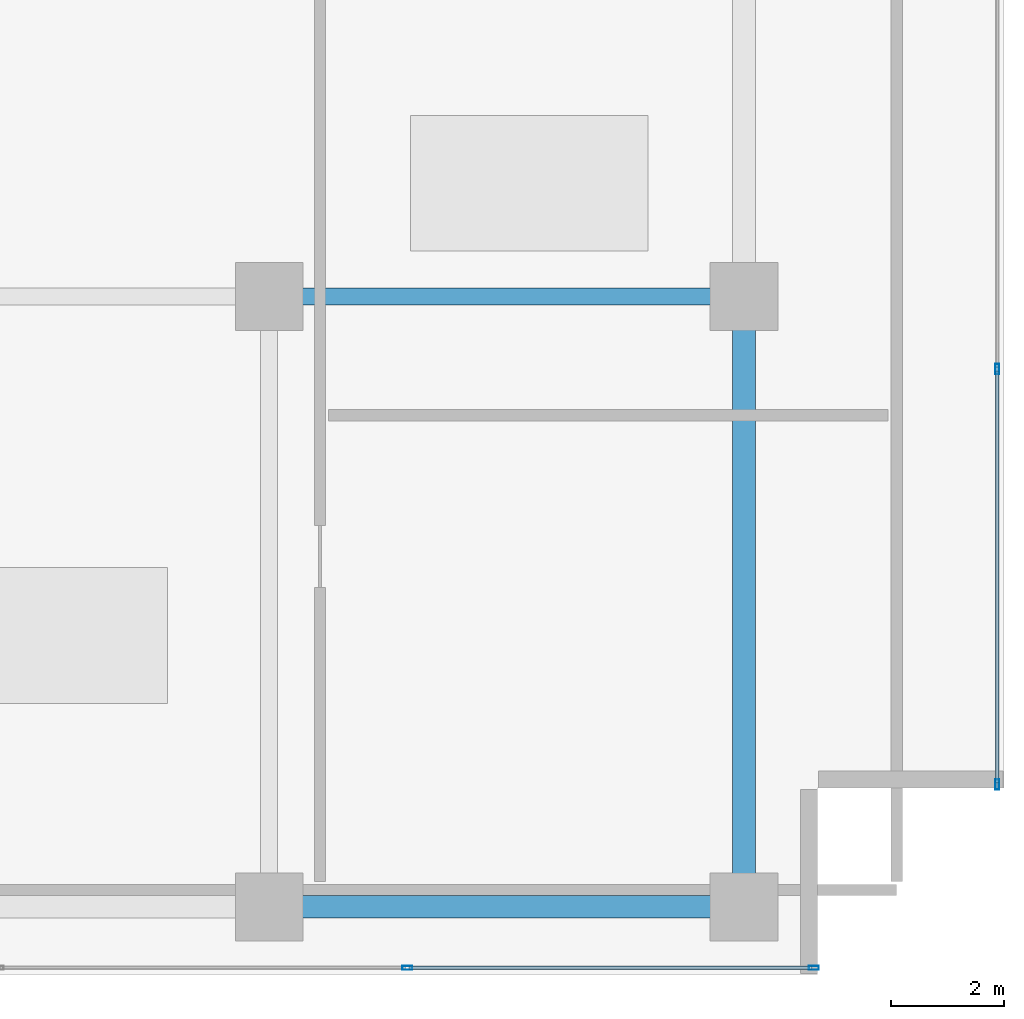
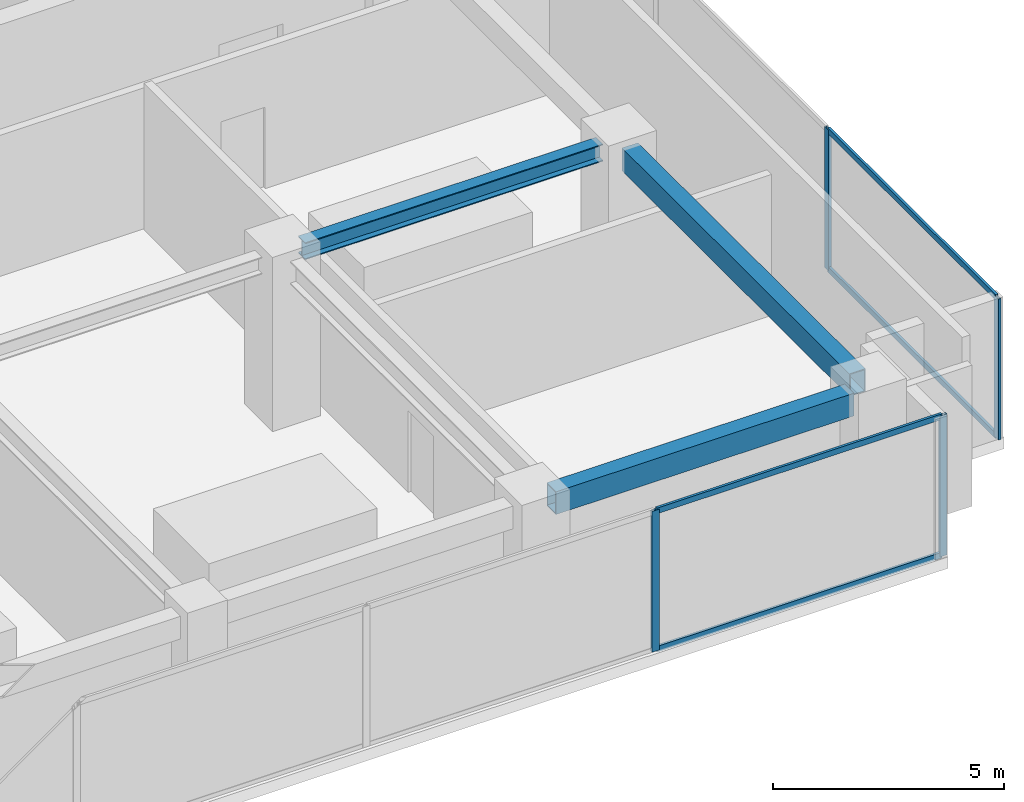
# One storey, part 9 of 19: 8 members, 3 beams, 2 elements without a shape of their own.
"""IFC4 building model written with IfcOpenShell, lengths in metres."""

from ifc_helpers import new_model, si_unit, direction, frame, origin, origin_2d, place, context, subcontext, project, spatial, hollow_rectangle, i_section, extrude, source, transform, mapped, material, layer, layer_set, material_profile, profile_set, type_object, element, aggregate, save


model = new_model("IFC4")

# Units and contexts
model_context = context("Model", 3, precision=1e-05, world=origin(), true_north=direction((0.0, 1.0)))
body_context = subcontext(model_context, "Body", "Model", "MODEL_VIEW")
ifc_project = project(units=[si_unit("LENGTHUNIT", "METRE"), si_unit("AREAUNIT", "SQUARE_METRE"), si_unit("VOLUMEUNIT", "CUBIC_METRE"), si_unit("PLANEANGLEUNIT", "RADIAN"), si_unit("MASSUNIT", "GRAM", prefix="KILO")], contexts=[model_context])

# Site, building, storey
site_placement = place(None, origin())
site = spatial("IfcSite", under=ifc_project, at=site_placement, CompositionType="ELEMENT")
building_placement = place(site_placement, origin())
building = spatial("IfcBuilding", under=site, at=building_placement, Name="Sumidabori Civic Tower", CompositionType="ELEMENT")
storey_placement = place(building_placement, frame((0.0, 0.0, 293.60009765625)))
storey = spatial("IfcBuildingStorey", under=building, at=storey_placement, Name="L77", CompositionType="ELEMENT", Elevation=293.60009765625)

# Beams
ifc_material_1 = material(Name="Steel SN490", Category="steel")
ifc_material_profile_1 = material_profile(ifc_material_1, i_section(OverallWidth=0.300048828125, OverallDepth=0.449951171875, WebThickness=0.013916015625, FlangeThickness=0.02587890625, at=origin_2d()), Name="HE 450 B")
ifc_profile_set_1 = profile_set([ifc_material_profile_1], Name="Steel SN490")
beam_type_1 = type_object("IfcBeamType", Name="BM-GIRD-450", PredefinedType="BEAM", material=ifc_profile_set_1)
shared_shape_1 = source(origin(), body_context, "Body", "SweptSolid", [
    extrude(i_section(OverallWidth=0.300048828125, OverallDepth=0.449951171875, WebThickness=0.013916015625, FlangeThickness=0.02587890625, at=origin_2d()), origin(), (0.0, 0.0, 1.0), 7.440185546875),
])
beam_1_placement = place(storey_placement, frame((8.8798828125, 0.0, 4.114990234375), z_axis=(1.0, 0.0, 0.0), x_axis=(0.0, 1.0, 0.0)))
element("IfcBeam", 1, at=beam_1_placement, inside=storey, type_object=beam_type_1, Name="Primary Girder L77 GX-04", PredefinedType="BEAM", context=body_context, shape_type="MappedRepresentation", body=[
    mapped(shared_shape_1, transform((0.0, 0.0, 0.0), x_axis=(1.0, 0.0, 0.0), y_axis=(0.0, 1.0, 0.0), z_axis=(0.0, 0.0, 1.0), scale=1.0)),
])
ifc_material_profile_2 = material_profile(ifc_material_1, hollow_rectangle(XDim=0.39990234375, YDim=0.60009765625, WallThickness=0.02490234375, at=origin_2d()), Name="RHS 600x400x25")
ifc_profile_set_2 = profile_set([ifc_material_profile_2], Name="Steel SN490")
beam_type_2 = type_object("IfcBeamType", Name="BM-CRN-RING", PredefinedType="BEAM", material=ifc_profile_set_2)
shared_shape_2 = source(origin(), body_context, "Body", "SweptSolid", [
    extrude(hollow_rectangle(XDim=0.39990234375, YDim=0.60009765625, WallThickness=0.02490234375, at=origin_2d()), origin(), (0.0, 0.0, 1.0), 7.440185546875),
])
beam_2_placement = place(storey_placement, frame((8.8798828125, -10.800048828125, 4.039794921875), z_axis=(1.0, 0.0, 0.0), x_axis=(0.0, 1.0, 0.0)))
element("IfcBeam", 2, at=beam_2_placement, inside=storey, type_object=beam_type_2, Name="Crown Base Ring Beam BR-1-04", PredefinedType="BEAM", context=body_context, shape_type="MappedRepresentation", body=[
    mapped(shared_shape_2, transform((0.0, 0.0, 0.0), x_axis=(1.0, 0.0, 0.0), y_axis=(0.0, 1.0, 0.0), z_axis=(0.0, 0.0, 1.0), scale=1.0)),
])
shared_shape_3 = source(origin(), body_context, "Body", "SweptSolid", [
    extrude(hollow_rectangle(XDim=0.39990234375, YDim=0.60009765625, WallThickness=0.02490234375, at=origin_2d()), origin(), (0.0, 0.0, 1.0), 9.840087890625),
])
beam_3_placement = place(storey_placement, frame((16.800048828125, -10.320068359375, 4.039794921875), z_axis=(0.0, 1.0, 0.0), x_axis=(-1.0, 0.0, 0.0)))
element("IfcBeam", 3, at=beam_3_placement, inside=storey, type_object=beam_type_2, Name="Crown Base Ring Beam BR-1-05", PredefinedType="BEAM", context=body_context, shape_type="MappedRepresentation", body=[
    mapped(shared_shape_3, transform((0.0, 0.0, 0.0), x_axis=(1.0, 0.0, 0.0), y_axis=(0.0, 1.0, 0.0), z_axis=(0.0, 0.0, 1.0), scale=1.0)),
])

# Curtain wall, members
ifc_material_2 = material(Name="Anodised Bronze Aluminium AW-6063-T6", Category="aluminium")
ifc_layer = layer(ifc_material_2, 0.179931640625, Name="Anodised Bronze Aluminium AW-6063-T6")
ifc_layer_set = layer_set([ifc_layer], Name="Anodised Bronze Aluminium AW-6063-T6")
curtain_wall_type = type_object("IfcCurtainWallType", Name="CW-SYS-6", PredefinedType="NOTDEFINED", material=ifc_layer_set)
curtain_wall_1_placement = place(storey_placement, origin())
curtain_wall_1 = element("IfcCurtainWall", 4, at=curtain_wall_1_placement, inside=storey, type_object=curtain_wall_type, Name="Curtain Wall CW:L77:R01", PredefinedType="NOTDEFINED")
ifc_material_profile_3 = material_profile(ifc_material_2, hollow_rectangle(XDim=0.06494140625, YDim=0.14990234375, WallThickness=0.0048828125, at=origin_2d()), Name="ALU TRANSOM 150x65")
ifc_profile_set_3 = profile_set([ifc_material_profile_3], Name="Anodised Bronze Aluminium AW-6063-T6")
member_type_1 = type_object("IfcMemberType", Name="CW-TRN-150", PredefinedType="USERDEFINED", material=ifc_profile_set_3)
shared_shape_4 = source(origin(), body_context, "Body", "SweptSolid", [
    extrude(hollow_rectangle(XDim=0.06494140625, YDim=0.14990234375, WallThickness=0.0048828125, at=origin_2d()), origin(), (0.0, 0.0, 1.0), 7.123046875),
])
member_1_placement = place(storey_placement, frame((10.876953125, -11.8798828125, 0.032470703125), z_axis=(1.0, 0.0, 0.0), x_axis=(0.0, 1.0, 0.0)))
member_1 = element("IfcMember", 5, at=member_1_placement, type_object=member_type_1, Name="CW-6 transom 5.1", ObjectType="TRANSOM", PredefinedType="USERDEFINED", context=body_context, shape_type="MappedRepresentation", body=[
    mapped(shared_shape_4, transform((0.0, 0.0, 0.0), x_axis=(1.0, 0.0, 0.0), y_axis=(0.0, 1.0, 0.0), z_axis=(0.0, 0.0, 1.0), scale=1.0)),
])
member_2_placement = place(storey_placement, frame((10.876953125, -11.8798828125, 3.6875), z_axis=(1.0, 0.0, 0.0), x_axis=(0.0, 1.0, 0.0)))
member_2 = element("IfcMember", 6, at=member_2_placement, type_object=member_type_1, Name="CW-6 transom 5.2", ObjectType="TRANSOM", PredefinedType="USERDEFINED", context=body_context, shape_type="MappedRepresentation", body=[
    mapped(shared_shape_4, transform((0.0, 0.0, 0.0), x_axis=(1.0, 0.0, 0.0), y_axis=(0.0, 1.0, 0.0), z_axis=(0.0, 0.0, 1.0), scale=1.0)),
])

curtain_wall_2_placement = place(storey_placement, origin())
curtain_wall_2 = element("IfcCurtainWall", 7, at=curtain_wall_2_placement, inside=storey, type_object=curtain_wall_type, Name="Curtain Wall CW:L77:R04", PredefinedType="NOTDEFINED")
shared_shape_5 = source(origin(), body_context, "Body", "SweptSolid", [
    extrude(hollow_rectangle(XDim=0.06494140625, YDim=0.14990234375, WallThickness=0.0048828125, at=origin_2d()), origin(), (0.0, 0.0, 1.0), 7.280029296875),
])
member_3_placement = place(storey_placement, frame((21.280029296875, -8.60009765625, 0.032470703125), z_axis=(0.0, 1.0, 0.0), x_axis=(-1.0, 0.0, 0.0)))
member_3 = element("IfcMember", 8, at=member_3_placement, type_object=member_type_1, Name="CW-6 transom 1.1", ObjectType="TRANSOM", PredefinedType="USERDEFINED", context=body_context, shape_type="MappedRepresentation", body=[
    mapped(shared_shape_5, transform((0.0, 0.0, 0.0), x_axis=(1.0, 0.0, 0.0), y_axis=(0.0, 1.0, 0.0), z_axis=(0.0, 0.0, 1.0), scale=1.0)),
])
member_4_placement = place(storey_placement, frame((21.280029296875, -8.60009765625, 3.6875), z_axis=(0.0, 1.0, 0.0), x_axis=(-1.0, 0.0, 0.0)))
member_4 = element("IfcMember", 9, at=member_4_placement, type_object=member_type_1, Name="CW-6 transom 1.2", ObjectType="TRANSOM", PredefinedType="USERDEFINED", context=body_context, shape_type="MappedRepresentation", body=[
    mapped(shared_shape_5, transform((0.0, 0.0, 0.0), x_axis=(1.0, 0.0, 0.0), y_axis=(0.0, 1.0, 0.0), z_axis=(0.0, 0.0, 1.0), scale=1.0)),
])

# Member
ifc_material_profile_4 = material_profile(ifc_material_2, hollow_rectangle(XDim=0.070068359375, YDim=0.179931640625, WallThickness=0.006103515625, at=origin_2d()), Name="ALU MULLION 180x70")
ifc_profile_set_4 = profile_set([ifc_material_profile_4], Name="Anodised Bronze Aluminium AW-6063-T6")
member_type_2 = type_object("IfcMemberType", Name="CW-MUL-180", PredefinedType="MULLION", material=ifc_profile_set_4)
shared_shape_6 = source(origin(), body_context, "Body", "SweptSolid", [
    extrude(hollow_rectangle(XDim=0.070068359375, YDim=0.179931640625, WallThickness=0.006103515625, at=origin_2d()), origin(), (0.0, 0.0, 1.0), 3.719970703125),
])
member_5_placement = place(storey_placement, frame((10.842041015625, -11.8798828125, 0.0), z_axis=(0.0, 0.0, 1.0), x_axis=(0.0, 1.0, 0.0)))
member_5 = element("IfcMember", 10, at=member_5_placement, type_object=member_type_2, Name="CW-6 mullion 5", PredefinedType="MULLION", context=body_context, shape_type="MappedRepresentation", body=[
    mapped(shared_shape_6, transform((0.0, 0.0, 0.0), x_axis=(1.0, 0.0, 0.0), y_axis=(0.0, 1.0, 0.0), z_axis=(0.0, 0.0, 1.0), scale=1.0)),
])

member_6_placement = place(storey_placement, frame((18.034912109375, -11.8798828125, 0.0), z_axis=(0.0, 0.0, 1.0), x_axis=(0.0, 1.0, 0.0)))
member_6 = element("IfcMember", 11, at=member_6_placement, type_object=member_type_2, Name="CW-6 mullion 6", PredefinedType="MULLION", context=body_context, shape_type="MappedRepresentation", body=[
    mapped(shared_shape_6, transform((0.0, 0.0, 0.0), x_axis=(1.0, 0.0, 0.0), y_axis=(0.0, 1.0, 0.0), z_axis=(0.0, 0.0, 1.0), scale=1.0)),
])

aggregate(curtain_wall_1, [member_5, member_6, member_1, member_2])

member_7_placement = place(storey_placement, frame((21.280029296875, -8.635009765625, 0.0), z_axis=(0.0, 0.0, 1.0), x_axis=(-1.0, 0.0, 0.0)))
member_7 = element("IfcMember", 12, at=member_7_placement, type_object=member_type_2, Name="CW-6 mullion 1", PredefinedType="MULLION", context=body_context, shape_type="MappedRepresentation", body=[
    mapped(shared_shape_6, transform((0.0, 0.0, 0.0), x_axis=(1.0, 0.0, 0.0), y_axis=(0.0, 1.0, 0.0), z_axis=(0.0, 0.0, 1.0), scale=1.0)),
])

member_8_placement = place(storey_placement, frame((21.280029296875, -1.284912109375, 0.0), z_axis=(0.0, 0.0, 1.0), x_axis=(-1.0, 0.0, 0.0)))
member_8 = element("IfcMember", 13, at=member_8_placement, type_object=member_type_2, Name="CW-6 mullion 2", PredefinedType="MULLION", context=body_context, shape_type="MappedRepresentation", body=[
    mapped(shared_shape_6, transform((0.0, 0.0, 0.0), x_axis=(1.0, 0.0, 0.0), y_axis=(0.0, 1.0, 0.0), z_axis=(0.0, 0.0, 1.0), scale=1.0)),
])

aggregate(curtain_wall_2, [member_7, member_8, member_3, member_4])

save(model, "model.ifc")
